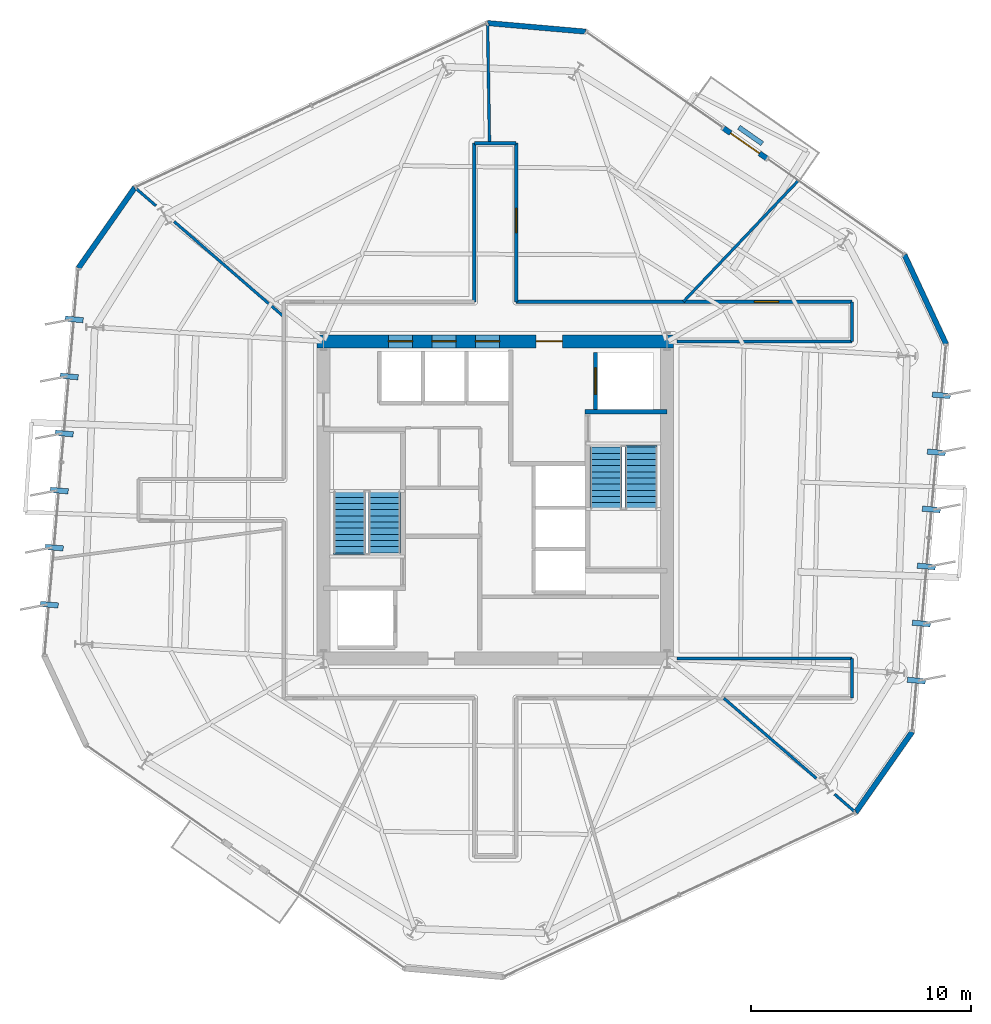
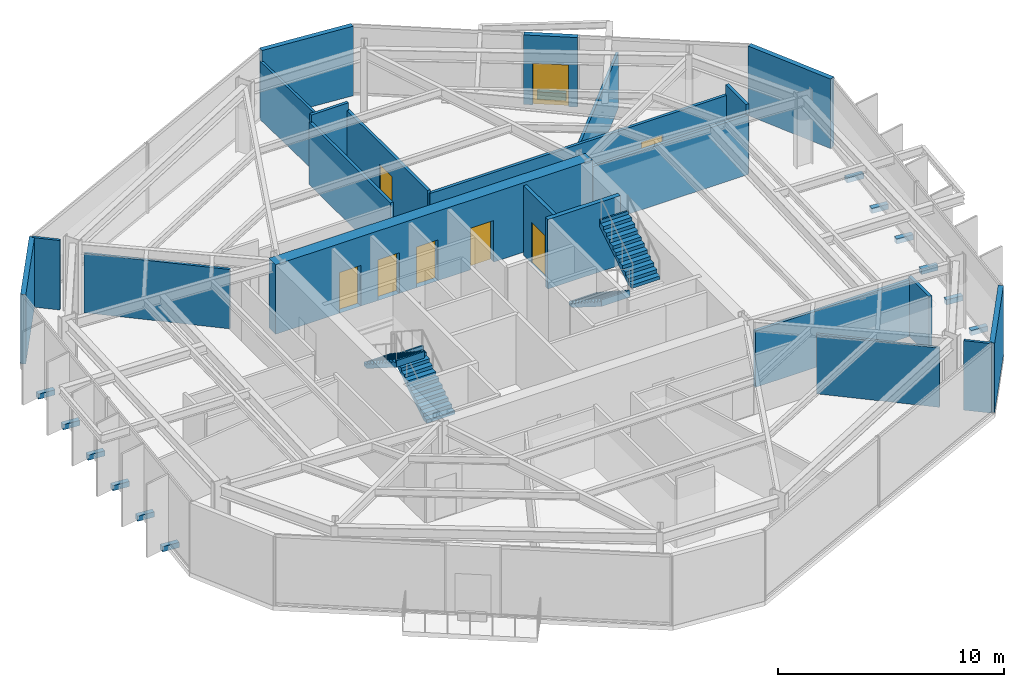
# One storey, part 8 of 12: 23 walls, 12 discrete accessories, 8 doors, 4 stair flights, 8 openings, 2 elements without a shape of their own.
"""IFC4 building model written with IfcOpenShell, lengths in metres."""

from ifc_helpers import new_model, si_unit, direction, frame, frame_2d, origin, origin_2d, place, context, subcontext, project, spatial, polyline, rectangle, outline, extrude, material, layer, layer_set, type_object, element, fill, aggregate, save


model = new_model("IFC4")

# Units and contexts
model_context = context("Model", 3, precision=1e-05, world=origin(), true_north=direction((0.0, 1.0)))
body_context = subcontext(model_context, "Body", "Model", "MODEL_VIEW")
ifc_project = project(units=[si_unit("LENGTHUNIT", "METRE"), si_unit("AREAUNIT", "SQUARE_METRE"), si_unit("VOLUMEUNIT", "CUBIC_METRE"), si_unit("PLANEANGLEUNIT", "RADIAN"), si_unit("MASSUNIT", "GRAM", prefix="KILO")], contexts=[model_context])

# Site, building, storey
site_placement = place(None, origin())
site = spatial("IfcSite", under=ifc_project, at=site_placement, CompositionType="ELEMENT")
building_placement = place(site_placement, origin())
building = spatial("IfcBuilding", under=site, at=building_placement, Name="Kranzbogen Civic Tower", CompositionType="ELEMENT")
storey_placement = place(building_placement, frame((0.0, 0.0, 122.39990234375)))
storey = spatial("IfcBuildingStorey", under=building, at=storey_placement, Name="L29", CompositionType="ELEMENT", Elevation=122.39990234375)

# Walls
ifc_material_1 = material(Name="Double-Stud Acoustic Gypsum Partition")
ifc_layer_1 = layer(ifc_material_1, 0.14990234375, Name="Double-Stud Acoustic Gypsum Partition")
ifc_layer_set_1 = layer_set([ifc_layer_1], Name="Double-Stud Acoustic Gypsum Partition")
wall_type_1 = type_object("IfcWallType", Name="Acoustic Corridor and Clinical Partition 150 mm", PredefinedType="PARTITIONING", material=ifc_layer_set_1)
wall_1_placement = place(storey_placement, frame((24.050048828125, 34.0, 0.0), z_axis=(0.0, 0.0, 1.0), x_axis=(0.0, 1.0, 0.0)))
element("IfcWall", 1, at=wall_1_placement, inside=storey, type_object=wall_type_1, Name="L29 corridor partition 11", PredefinedType="PARTITIONING", context=body_context, shape_type="SweptSolid", body=[
    extrude(rectangle(XDim=7.199951171875, YDim=0.14990234375, at=frame_2d((3.60009765625, 0.0))), origin(), (0.0, 0.0, 1.0), 3.360107421875),
])
wall_2_placement = place(storey_placement, frame((24.050048828125, 41.199951171875, 0.0), z_axis=(0.0, 0.0, 1.0), x_axis=(1.0, 0.0, 0.0)))
element("IfcWall", 2, at=wall_2_placement, inside=storey, type_object=wall_type_1, Name="L29 corridor partition 12", PredefinedType="PARTITIONING", context=body_context, shape_type="SweptSolid", body=[
    extrude(rectangle(XDim=1.89990234375, YDim=0.14990234375, at=frame_2d((0.949951171875, 0.0))), origin(), (0.0, 0.0, 1.0), 3.760009765625),
])

# Wall, opening, door
wall_3_placement = place(storey_placement, frame((25.949951171875, 41.199951171875, 0.0), z_axis=(0.0, 0.0, 1.0), x_axis=(0.0, -1.0, 0.0)))
wall_3 = element("IfcWall", 3, at=wall_3_placement, inside=storey, type_object=wall_type_1, Name="L29 corridor partition 13", PredefinedType="PARTITIONING", context=body_context, shape_type="SweptSolid", body=[
    extrude(rectangle(XDim=7.199951171875, YDim=0.14990234375, at=frame_2d((3.60009765625, 0.0))), origin(), (0.0, 0.0, 1.0), 3.360107421875),
])
opening_1_placement = place(wall_3_placement, frame((2.9619140625, 0.0, 0.0)))
opening_1 = element("IfcOpeningElement", 4, at=opening_1_placement, cuts=wall_3, Name="Opening D-COR60", PredefinedType="OPENING", context=body_context, shape_type="SweptSolid", body=[
    extrude(rectangle(XDim=1.10009765625, YDim=2.199951171875, at=frame_2d((0.550048828125, 1.10009765625))), frame((0.0, 0.0849609375, 0.0), z_axis=(0.0, -1.0, 0.0), x_axis=(1.0, 0.0, 0.0)), (0.0, 0.0, 1.0), 0.169921875),
])
ifc_material_2 = material(Name="Oak Timber and Fire Core", Category="wood")
door_type_1 = type_object("IfcDoorType", Name="Corridor Acoustic Fire Door 1100x2200", OperationType="NOTDEFINED", PredefinedType="DOOR", material=ifc_material_2)
door_1_placement = place(opening_1_placement, origin())
door_1 = element("IfcDoor", 5, at=door_1_placement, inside=storey, type_object=door_type_1, Name="L29 Hospitality Catering Kitchen door", OperationType="SINGLE_SWING_RIGHT", OverallHeight=2.199951171875, OverallWidth=1.10009765625, PredefinedType="DOOR", context=body_context, shape_type="SweptSolid", body=[
    extrude(rectangle(XDim=1.10009765625, YDim=2.199951171875, at=frame_2d((0.550048828125, 1.10009765625))), frame((0.0, 0.02490234375, 0.0), z_axis=(0.0, -1.0, 0.0), x_axis=(1.0, 0.0, 0.0)), (0.0, 0.0, 1.0), 0.050048828125),
])
fill(opening_1, door_1)

wall_4_placement = place(storey_placement, frame((25.949951171875, 34.0, 0.0), z_axis=(0.0, 0.0, 1.0), x_axis=(1.0, 0.0, 0.0)))
wall_4 = element("IfcWall", 6, at=wall_4_placement, inside=storey, type_object=wall_type_1, Name="L29 corridor partition 14", PredefinedType="PARTITIONING", context=body_context, shape_type="SweptSolid", body=[
    extrude(rectangle(XDim=15.25, YDim=0.14990234375, at=frame_2d((7.625, 0.0))), origin(), (0.0, 0.0, 1.0), 3.210205078125),
])
opening_2_placement = place(wall_4_placement, frame((10.81591796875, 0.0, 0.0)))
opening_2 = element("IfcOpeningElement", 7, at=opening_2_placement, cuts=wall_4, Name="Opening D-COR60", PredefinedType="OPENING", context=body_context, shape_type="SweptSolid", body=[
    extrude(rectangle(XDim=1.10009765625, YDim=2.199951171875, at=frame_2d((0.550048828125, 1.10009765625))), frame((0.0, 0.0849609375, 0.0), z_axis=(0.0, -1.0, 0.0), x_axis=(1.0, 0.0, 0.0)), (0.0, 0.0, 1.0), 0.169921875),
])
door_2_placement = place(opening_2_placement, origin())
door_2 = element("IfcDoor", 8, at=door_2_placement, inside=storey, type_object=door_type_1, Name="L29 Staff Tea Pantry door", OperationType="SINGLE_SWING_LEFT", OverallHeight=2.199951171875, OverallWidth=1.10009765625, PredefinedType="DOOR", context=body_context, shape_type="SweptSolid", body=[
    extrude(rectangle(XDim=1.10009765625, YDim=2.199951171875, at=frame_2d((0.550048828125, 1.10009765625))), frame((0.0, 0.02490234375, 0.0), z_axis=(0.0, -1.0, 0.0), x_axis=(1.0, 0.0, 0.0)), (0.0, 0.0, 1.0), 0.050048828125),
])
fill(opening_2, door_2)

# Walls
wall_5_placement = place(storey_placement, frame((41.199951171875, 34.0, 0.0), z_axis=(0.0, 0.0, 1.0), x_axis=(0.0, -1.0, 0.0)))
element("IfcWall", 9, at=wall_5_placement, inside=storey, type_object=wall_type_1, Name="L29 corridor partition 15", PredefinedType="PARTITIONING", context=body_context, shape_type="SweptSolid", body=[
    extrude(rectangle(XDim=1.800048828125, YDim=0.14990234375, at=frame_2d((0.89990234375, 0.0))), origin(), (0.0, 0.0, 1.0), 3.760009765625),
])
wall_6_placement = place(storey_placement, frame((41.199951171875, 32.199951171875, 0.0), z_axis=(0.0, 0.0, 1.0), x_axis=(-1.0, 0.0, 0.0)))
element("IfcWall", 10, at=wall_6_placement, inside=storey, type_object=wall_type_1, Name="L29 corridor partition 16", PredefinedType="PARTITIONING", context=body_context, shape_type="SweptSolid", body=[
    extrude(rectangle(XDim=7.952880859375, YDim=0.14990234375, at=frame_2d((3.9765625, 0.0))), origin(), (0.0, 0.0, 1.0), 3.210205078125),
])
wall_7_placement = place(storey_placement, frame((33.2470703125, 17.800048828125, 0.0), z_axis=(0.0, 0.0, 1.0), x_axis=(1.0, 0.0, 0.0)))
element("IfcWall", 11, at=wall_7_placement, inside=storey, type_object=wall_type_1, Name="L29 corridor partition 17", PredefinedType="PARTITIONING", context=body_context, shape_type="SweptSolid", body=[
    extrude(rectangle(XDim=7.952880859375, YDim=0.14990234375, at=frame_2d((3.9765625, 0.0))), origin(), (0.0, 0.0, 1.0), 3.050048828125),
])
wall_8_placement = place(storey_placement, frame((41.199951171875, 17.800048828125, 0.0), z_axis=(0.0, 0.0, 1.0), x_axis=(0.0, -1.0, 0.0)))
element("IfcWall", 12, at=wall_8_placement, inside=storey, type_object=wall_type_1, Name="L29 corridor partition 18", PredefinedType="PARTITIONING", context=body_context, shape_type="SweptSolid", body=[
    extrude(rectangle(XDim=1.800048828125, YDim=0.14990234375, at=frame_2d((0.89990234375, 0.0))), origin(), (0.0, 0.0, 1.0), 3.210205078125),
])
ifc_material_3 = material(Name="Insulated Metal-Stud Gypsum Partition")
ifc_layer_2 = layer(ifc_material_3, 0.125, Name="Insulated Metal-Stud Gypsum Partition")
ifc_layer_set_2 = layer_set([ifc_layer_2], Name="Insulated Metal-Stud Gypsum Partition")
wall_type_2 = type_object("IfcWallType", Name="Acoustic Inter-Room Partition 125 mm", PredefinedType="PARTITIONING", material=ifc_layer_set_2)
wall_9_placement = place(storey_placement, frame((33.537109375, 34.0, 0.0), z_axis=(0.0, 0.0, 1.0), x_axis=(0.68823300749, 0.725489715572, 0.0)))
element("IfcWall", 13, at=wall_9_placement, inside=storey, type_object=wall_type_2, Name="L29 radial room partition 01", PredefinedType="PARTITIONING", context=body_context, shape_type="SweptSolid", body=[
    extrude(rectangle(XDim=7.568603515625, YDim=0.125, at=frame_2d((3.7841796875, 0.0))), origin(), (0.0, 0.0, 1.0), 3.02001953125),
])
wall_10_placement = place(storey_placement, frame((24.738037109375, 41.199951171875, 0.0), z_axis=(0.0, 0.0, 1.0), x_axis=(-0.016037114242, 0.999871397214, 0.0)))
element("IfcWall", 14, at=wall_10_placement, inside=storey, type_object=wall_type_2, Name="L29 radial room partition 02", PredefinedType="PARTITIONING", context=body_context, shape_type="SweptSolid", body=[
    extrude(rectangle(XDim=5.434814453125, YDim=0.125, at=frame_2d((2.71728515625, 0.0))), origin(), (0.0, 0.0, 1.0), 3.16015625),
])
wall_11_placement = place(storey_placement, frame((15.39990234375, 33.322998046875, 0.0), z_axis=(0.0, 0.0, 1.0), x_axis=(-0.755497026954, 0.655152075677, 0.0)))
element("IfcWall", 15, at=wall_11_placement, inside=storey, type_object=wall_type_2, Name="L29 radial room partition 03 part 1", PredefinedType="PARTITIONING", context=body_context, shape_type="SweptSolid", body=[
    extrude(rectangle(XDim=6.586181640625, YDim=0.125, at=frame_2d((3.29296875, 0.0))), origin(), (0.0, 0.0, 1.0), 3.210205078125),
])
wall_12_placement = place(storey_placement, frame((9.596923828125, 38.35498046875, 0.0), z_axis=(0.0, 0.0, 1.0), x_axis=(-0.755592443886, 0.655042028226, 0.0)))
element("IfcWall", 16, at=wall_12_placement, inside=storey, type_object=wall_type_2, Name="L29 radial room partition 03 part 2", PredefinedType="PARTITIONING", context=body_context, shape_type="SweptSolid", body=[
    extrude(rectangle(XDim=1.25048828125, YDim=0.125, at=frame_2d((0.625244140625, 0.0))), origin(), (0.0, 0.0, 1.0), 3.760009765625),
])
wall_13_placement = place(storey_placement, frame((35.3798828125, 16.0, 0.0), z_axis=(0.0, 0.0, 1.0), x_axis=(0.75556722703, -0.655071114795, 0.0)))
element("IfcWall", 17, at=wall_13_placement, inside=storey, type_object=wall_type_2, Name="L29 radial room partition 07 part 1", PredefinedType="PARTITIONING", context=body_context, shape_type="SweptSolid", body=[
    extrude(rectangle(XDim=5.553466796875, YDim=0.125, at=frame_2d((2.77685546875, 0.0))), origin(), (0.0, 0.0, 1.0), 3.210205078125),
])
wall_14_placement = place(storey_placement, frame((40.403076171875, 11.64501953125, 0.0), z_axis=(0.0, 0.0, 1.0), x_axis=(0.755592443886, -0.655042028226, 0.0)))
element("IfcWall", 18, at=wall_14_placement, inside=storey, type_object=wall_type_2, Name="L29 radial room partition 07 part 2", PredefinedType="PARTITIONING", context=body_context, shape_type="SweptSolid", body=[
    extrude(rectangle(XDim=1.25048828125, YDim=0.125, at=frame_2d((0.625244140625, 0.0))), origin(), (0.0, 0.0, 1.0), 3.760009765625),
])
ifc_material_4 = material(Name="Architectural Precast Terracotta Concrete C40/50", Category="masonry")
ifc_layer_3 = layer(ifc_material_4, 0.219970703125, Name="Architectural Precast Terracotta Concrete C40/50")
ifc_layer_set_3 = layer_set([ifc_layer_3], Name="Architectural Precast Terracotta Concrete C40/50")
wall_type_3 = type_object("IfcWallType", Name="Architectural Tree Planter Kerb Wall 220 mm", PredefinedType="USERDEFINED", material=ifc_layer_set_3)
wall_15_placement = place(storey_placement, frame((37.12109375, 41.177001953125, 0.0), z_axis=(0.0, 0.0, 1.0), x_axis=(-0.818816934098, 0.574054725993, 0.0)))
element("IfcWall", 19, at=wall_15_placement, inside=storey, type_object=wall_type_3, Name="L29 landscaped tree balcony planter L29-TB1", ObjectType="PLANTER_WALL", PredefinedType="USERDEFINED", context=body_context, shape_type="SweptSolid", body=[
    extrude(rectangle(XDim=1.2998046875, YDim=0.219970703125, at=frame_2d((0.64990234375, 0.0))), origin(), (0.0, 0.0, 1.0), 0.400146484375),
])

# Wall, openings, doors
ifc_material_5 = material(Name="Concrete C55/67", Category="concrete")
ifc_layer_4 = layer(ifc_material_5, 0.60009765625, Name="Concrete C55/67")
ifc_layer_set_4 = layer_set([ifc_layer_4], Name="Concrete C55/67")
wall_type_4 = type_object("IfcWallType", Name="Central Core Shear Wall 600 mm", PredefinedType="SHEAR", material=ifc_layer_set_4)
wall_16_placement = place(storey_placement, frame((33.10009765625, 32.199951171875, 0.0), z_axis=(0.0, 0.0, 1.0), x_axis=(-1.0, 0.0, 0.0)))
wall_16 = element("IfcWall", 20, at=wall_16_placement, inside=storey, type_object=wall_type_4, Name="L29 central core North shear wall", PredefinedType="SHEAR", context=body_context, shape_type="SweptSolid", body=[
    extrude(rectangle(XDim=16.2001953125, YDim=0.60009765625, at=frame_2d((8.10009765625, 0.0))), origin(), (0.0, 0.0, 1.0), 3.760009765625),
])
opening_3_placement = place(wall_16_placement, frame((5.050048828125, 0.0, 0.0)))
opening_3 = element("IfcOpeningElement", 21, at=opening_3_placement, cuts=wall_16, Name="Opening D-EX120", PredefinedType="OPENING", context=body_context, shape_type="SweptSolid", body=[
    extrude(rectangle(XDim=1.199951171875, YDim=2.25, at=frame_2d((0.60009765625, 1.125))), frame((0.0, 0.31005859375, 0.0), z_axis=(0.0, -1.0, 0.0), x_axis=(1.0, 0.0, 0.0)), (0.0, 0.0, 1.0), 0.6201171875),
])
opening_4_placement = place(wall_16_placement, frame((11.85009765625, 0.0, 0.0)))
opening_4 = element("IfcOpeningElement", 22, at=opening_4_placement, cuts=wall_16, Name="Opening LD-MP-01", PredefinedType="OPENING", context=body_context, shape_type="SweptSolid", body=[
    extrude(rectangle(XDim=1.10009765625, YDim=2.199951171875, at=frame_2d((0.550048828125, 1.10009765625))), frame((0.0, 0.31005859375, 0.0), z_axis=(0.0, -1.0, 0.0), x_axis=(1.0, 0.0, 0.0)), (0.0, 0.0, 1.0), 0.6201171875),
])
opening_5_placement = place(wall_16_placement, frame((9.875, 0.0, 0.0)))
opening_5 = element("IfcOpeningElement", 23, at=opening_5_placement, cuts=wall_16, Name="Opening LD-MP-02", PredefinedType="OPENING", context=body_context, shape_type="SweptSolid", body=[
    extrude(rectangle(XDim=1.10009765625, YDim=2.199951171875, at=frame_2d((0.550048828125, 1.10009765625))), frame((0.0, 0.31005859375, 0.0), z_axis=(0.0, -1.0, 0.0), x_axis=(1.0, 0.0, 0.0)), (0.0, 0.0, 1.0), 0.6201171875),
])
opening_6_placement = place(wall_16_placement, frame((7.89990234375, 0.0, 0.0)))
opening_6 = element("IfcOpeningElement", 24, at=opening_6_placement, cuts=wall_16, Name="Opening LD-MP-03", PredefinedType="OPENING", context=body_context, shape_type="SweptSolid", body=[
    extrude(rectangle(XDim=1.10009765625, YDim=2.199951171875, at=frame_2d((0.550048828125, 1.10009765625))), frame((0.0, 0.31005859375, 0.0), z_axis=(0.0, -1.0, 0.0), x_axis=(1.0, 0.0, 0.0)), (0.0, 0.0, 1.0), 0.6201171875),
])
ifc_material_6 = material(Name="Steel S355", Category="steel")
door_type_2 = type_object("IfcDoorType", Name="Exit Passageway Fire Door 1200x2250", OperationType="NOTDEFINED", PredefinedType="DOOR", material=ifc_material_6)
door_3_placement = place(opening_3_placement, origin())
door_3 = element("IfcDoor", 25, at=door_3_placement, inside=storey, type_object=door_type_2, Name="L29 East firefighting lobby corridor door", OperationType="SINGLE_SWING_LEFT", OverallHeight=2.25, OverallWidth=1.199951171875, PredefinedType="DOOR", context=body_context, shape_type="SweptSolid", body=[
    extrude(rectangle(XDim=1.199951171875, YDim=2.25, at=frame_2d((0.60009765625, 1.125))), frame((0.0, 0.02490234375, 0.0), z_axis=(0.0, -1.0, 0.0), x_axis=(1.0, 0.0, 0.0)), (0.0, 0.0, 1.0), 0.050048828125),
])
fill(opening_3, door_3)
ifc_material_7 = material(Name="Pale Anodised Aluminium", Category="aluminium")
door_type_3 = type_object("IfcDoorType", Name="Passenger Lift Sliding Landing Door 1100x2200", OperationType="DOUBLE_DOOR_SLIDING", PredefinedType="DOOR", material=ifc_material_7)
door_4_placement = place(opening_4_placement, origin())
door_4 = element("IfcDoor", 26, at=door_4_placement, inside=storey, type_object=door_type_3, Name="L29 lift MP-01 sliding landing door", OperationType="DOUBLE_DOOR_SLIDING", OverallHeight=2.199951171875, OverallWidth=1.10009765625, PredefinedType="DOOR", context=body_context, shape_type="SweptSolid", body=[
    extrude(rectangle(XDim=1.10009765625, YDim=2.199951171875, at=frame_2d((0.550048828125, 1.10009765625))), frame((0.0, 0.02490234375, 0.0), z_axis=(0.0, -1.0, 0.0), x_axis=(1.0, 0.0, 0.0)), (0.0, 0.0, 1.0), 0.050048828125),
])
fill(opening_4, door_4)
door_5_placement = place(opening_5_placement, origin())
door_5 = element("IfcDoor", 27, at=door_5_placement, inside=storey, type_object=door_type_3, Name="L29 lift MP-02 sliding landing door", OperationType="DOUBLE_DOOR_SLIDING", OverallHeight=2.199951171875, OverallWidth=1.10009765625, PredefinedType="DOOR", context=body_context, shape_type="SweptSolid", body=[
    extrude(rectangle(XDim=1.10009765625, YDim=2.199951171875, at=frame_2d((0.550048828125, 1.10009765625))), frame((0.0, 0.02490234375, 0.0), z_axis=(0.0, -1.0, 0.0), x_axis=(1.0, 0.0, 0.0)), (0.0, 0.0, 1.0), 0.050048828125),
])
fill(opening_5, door_5)
door_6_placement = place(opening_6_placement, origin())
door_6 = element("IfcDoor", 28, at=door_6_placement, inside=storey, type_object=door_type_3, Name="L29 lift MP-03 sliding landing door", OperationType="DOUBLE_DOOR_SLIDING", OverallHeight=2.199951171875, OverallWidth=1.10009765625, PredefinedType="DOOR", context=body_context, shape_type="SweptSolid", body=[
    extrude(rectangle(XDim=1.10009765625, YDim=2.199951171875, at=frame_2d((0.550048828125, 1.10009765625))), frame((0.0, 0.02490234375, 0.0), z_axis=(0.0, -1.0, 0.0), x_axis=(1.0, 0.0, 0.0)), (0.0, 0.0, 1.0), 0.050048828125),
])
fill(opening_6, door_6)

# Wall
ifc_material_8 = material(Name="Concrete C45/55", Category="concrete")
ifc_layer_5 = layer(ifc_material_8, 0.219970703125, Name="Concrete C45/55")
ifc_layer_set_5 = layer_set([ifc_layer_5], Name="Concrete C45/55")
wall_type_5 = type_object("IfcWallType", Name="Core Internal Stair Structural Wall 220 mm", PredefinedType="SOLIDWALL", material=ifc_layer_set_5)
wall_17_placement = place(storey_placement, frame((29.080078125, 29.010009765625, 0.0), z_axis=(0.0, 0.0, 1.0), x_axis=(1.0, 0.0, 0.0)))
element("IfcWall", 29, at=wall_17_placement, inside=storey, type_object=wall_type_5, Name="L29 ST-T2 North structural stair wall", PredefinedType="SOLIDWALL", context=body_context, shape_type="SweptSolid", body=[
    extrude(rectangle(XDim=3.719970703125, YDim=0.219970703125, at=frame_2d((1.85986328125, 0.0))), origin(), (0.0, 0.0, 1.0), 3.760009765625),
])

# Wall, opening, door
ifc_material_9 = material(Name="Gypsum Fireboard Shaftliner")
ifc_layer_6 = layer(ifc_material_9, 0.175048828125, Name="Gypsum Fireboard Shaftliner")
ifc_layer_set_6 = layer_set([ifc_layer_6], Name="Gypsum Fireboard Shaftliner")
wall_type_6 = type_object("IfcWallType", Name="Fire-Rated Lift and Service Shaft Wall 175 mm", PredefinedType="PARTITIONING", material=ifc_layer_set_6)
wall_18_placement = place(storey_placement, frame((29.550048828125, 29.10009765625, 0.0), z_axis=(0.0, 0.0, 1.0), x_axis=(0.0, 1.0, 0.0)))
wall_18 = element("IfcWall", 30, at=wall_18_placement, inside=storey, type_object=wall_type_6, Name="L29 lift FF-02 landing wall", PredefinedType="PARTITIONING", context=body_context, shape_type="SweptSolid", body=[
    extrude(rectangle(XDim=2.599853515625, YDim=0.175048828125, at=frame_2d((1.2998046875, 0.0))), origin(), (0.0, 0.0, 1.0), 3.760009765625),
])
opening_7_placement = place(wall_18_placement, frame((0.699951171875, 0.0, 0.0)))
opening_7 = element("IfcOpeningElement", 31, at=opening_7_placement, cuts=wall_18, Name="Opening LD-FF-02", PredefinedType="OPENING", context=body_context, shape_type="SweptSolid", body=[
    extrude(rectangle(XDim=1.199951171875, YDim=2.199951171875, at=frame_2d((0.60009765625, 1.10009765625))), frame((0.0, 0.09765625, 0.0), z_axis=(0.0, -1.0, 0.0), x_axis=(1.0, 0.0, 0.0)), (0.0, 0.0, 1.0), 0.195068359375),
])
door_type_4 = type_object("IfcDoorType", Name="Firefighting and Stretcher Lift Sliding Landing Door 1200x2200", OperationType="DOUBLE_DOOR_SLIDING", PredefinedType="DOOR", material=ifc_material_7)
door_7_placement = place(opening_7_placement, origin())
door_7 = element("IfcDoor", 32, at=door_7_placement, inside=storey, type_object=door_type_4, Name="L29 lift FF-02 sliding landing door", OperationType="DOUBLE_DOOR_SLIDING", OverallHeight=2.199951171875, OverallWidth=1.199951171875, PredefinedType="DOOR", context=body_context, shape_type="SweptSolid", body=[
    extrude(rectangle(XDim=1.199951171875, YDim=2.199951171875, at=frame_2d((0.60009765625, 1.10009765625))), frame((0.0, 0.02490234375, 0.0), z_axis=(0.0, -1.0, 0.0), x_axis=(1.0, 0.0, 0.0)), (0.0, 0.0, 1.0), 0.050048828125),
])
fill(opening_7, door_7)

ifc_layer_7 = layer(ifc_material_7, 0.239990234375, Name="Pale Anodised Aluminium")
ifc_layer_set_7 = layer_set([ifc_layer_7], Name="Pale Anodised Aluminium")
wall_type_7 = type_object("IfcWallType", Name="Insulated Aluminium Facade Portal Wall 240 mm", PredefinedType="STANDARD", material=ifc_layer_set_7)
wall_19_placement = place(storey_placement, frame((37.323974609375, 40.508056640625, 0.0), z_axis=(0.0, 0.0, 1.0), x_axis=(-0.819284492344, 0.573387234428, 0.0)))
wall_19 = element("IfcWall", 33, at=wall_19_placement, inside=storey, type_object=wall_type_7, Name="L29 exterior entrance portal wall 1", PredefinedType="STANDARD", context=body_context, shape_type="SweptSolid", body=[
    extrude(rectangle(XDim=2.399658203125, YDim=0.239990234375, at=frame_2d((1.19970703125, 0.0))), origin(), (0.0, 0.0, 1.0), 3.760009765625),
])
opening_8_placement = place(wall_19_placement, frame((0.39990234375, 0.0, 0.0)))
opening_8 = element("IfcOpeningElement", 34, at=opening_8_placement, cuts=wall_19, Name="Opening D-TER", PredefinedType="OPENING", context=body_context, shape_type="SweptSolid", body=[
    extrude(rectangle(XDim=1.60009765625, YDim=2.25, at=frame_2d((0.800048828125, 1.125))), frame((0.0, 0.1298828125, 0.0), z_axis=(0.0, -1.0, 0.0), x_axis=(1.0, 0.0, 0.0)), (0.0, 0.0, 1.0), 0.260009765625),
])
ifc_material_10 = material(Name="Anodised Bronze and Triple Glass", Category="glass")
door_type_5 = type_object("IfcDoorType", Name="Glazed Terrace and Balcony Double Door 1600x2250", OperationType="DOUBLE_DOOR_SINGLE_SWING", PredefinedType="DOOR", material=ifc_material_10)
door_8_placement = place(opening_8_placement, frame((1.60009765625, 0.0, 0.0), z_axis=(0.0, 0.0, 1.0), x_axis=(-1.0, 0.0, 0.0)))
door_8 = element("IfcDoor", 35, at=door_8_placement, inside=storey, type_object=door_type_5, Name="L29 tree balcony access door L29-TB1", OperationType="DOUBLE_DOOR_SINGLE_SWING", OverallHeight=2.25, OverallWidth=1.60009765625, PredefinedType="DOOR", context=body_context, shape_type="SweptSolid", body=[
    extrude(rectangle(XDim=1.60009765625, YDim=2.25, at=frame_2d((0.800048828125, 1.125))), frame((0.0, 0.02490234375, 0.0), z_axis=(0.0, -1.0, 0.0), x_axis=(1.0, 0.0, 0.0)), (0.0, 0.0, 1.0), 0.050048828125),
])
fill(opening_8, door_8)

# Walls
wall_20_placement = place(storey_placement, frame((29.10400390625, 46.263916015625, 0.0), z_axis=(0.0, 0.0, 1.0), x_axis=(-0.996204852099, 0.087039603938, 0.0)))
element("IfcWall", 36, at=wall_20_placement, inside=storey, type_object=wall_type_7, Name="L29 chamfered corner facade spandrel 1", PredefinedType="STANDARD", context=body_context, shape_type="SweptSolid", body=[
    extrude(rectangle(XDim=4.47119140625, YDim=0.239990234375, at=frame_2d((2.235595703125, 0.0))), origin(), (0.0, 0.0, 1.0), 3.760009765625),
])
for number, where, z_axis, x_axis, name in (
    (37, (8.637939453125, 39.18603515625, 0.0), (0.0, 0.0, 1.0), (-0.57368221041, -0.819077970317, 0.0), "L29 chamfered corner facade spandrel 2"),
    (38, (41.362060546875, 10.81396484375, 0.0), (0.0, 0.0, 1.0), (0.57368221041, 0.819077970317, 0.0), "L29 chamfered corner facade spandrel 5"),
):
    element("IfcWall", number, at=place(storey_placement, frame(where, z_axis=z_axis, x_axis=x_axis)), inside=storey, type_object=wall_type_7, Name=name, PredefinedType="STANDARD", context=body_context, shape_type="SweptSolid", body=[
        extrude(rectangle(XDim=4.470947265625, YDim=0.239990234375, at=frame_2d((2.2353515625, 0.0))), origin(), (0.0, 0.0, 1.0), 3.760009765625),
    ])
wall_21_placement = place(storey_placement, frame((45.467041015625, 32.076904296875, 0.0), z_axis=(0.0, 0.0, 1.0), x_axis=(-0.422738987368, 0.906251481962, 0.0)))
element("IfcWall", 39, at=wall_21_placement, inside=storey, type_object=wall_type_7, Name="L29 chamfered corner facade spandrel 6", PredefinedType="STANDARD", context=body_context, shape_type="SweptSolid", body=[
    extrude(rectangle(XDim=4.47119140625, YDim=0.239990234375, at=frame_2d((2.235595703125, 0.0))), origin(), (0.0, 0.0, 1.0), 3.760009765625),
])

# Stair, stair flights
ifc_material_11 = material(Name="Precast concrete C40/50", Category="concrete")
stair_type_1 = type_object("IfcStairType", Name="Tower Core Pressurized Dogleg Stair 1450", PredefinedType="HALF_TURN_STAIR", material=ifc_material_11)
stair_1_placement = place(storey_placement, origin())
stair_1 = element("IfcStair", 40, at=stair_1_placement, inside=storey, type_object=stair_type_1, Name="L29 Tower Core Pressurized Stair 1", PredefinedType="HALF_TURN_STAIR")
stair_flight_type = type_object("IfcStairFlightType", Name="Precast Concrete Stair Flight R180", PredefinedType="STRAIGHT", material=ifc_material_11)
stair_flight_1_placement = place(storey_placement, frame((19.97509765625, 22.60009765625, 0.0), z_axis=(0.0, 0.0, 1.0), x_axis=(0.0, 1.0, 0.0)))
stair_flight_1 = element("IfcStairFlight", 41, at=stair_flight_1_placement, type_object=stair_flight_type, Name="ST-T1 flight 1", NumberOfRisers=11, NumberOfTreads=10, PredefinedType="STRAIGHT", RiserHeight=0.181818182, TreadLength=0.28, context=body_context, shape_type="SweptSolid", body=[
    extrude(outline(polyline([(0.0, 0.0), (0.0, 0.181884765625), (0.280029296875, 0.181884765625), (0.280029296875, 0.363525390625), (0.56005859375, 0.363525390625), (0.56005859375, 0.54541015625), (0.840087890625, 0.54541015625), (0.840087890625, 0.727294921875), (1.1201171875, 0.727294921875), (1.1201171875, 0.9091796875), (1.39990234375, 0.9091796875), (1.39990234375, 1.0908203125), (1.679931640625, 1.0908203125), (1.679931640625, 1.272705078125), (1.9599609375, 1.272705078125), (1.9599609375, 1.45458984375), (2.239990234375, 1.45458984375), (2.239990234375, 1.636474609375), (2.52001953125, 1.636474609375), (2.52001953125, 1.818115234375), (2.800048828125, 1.818115234375), (2.800048828125, 2.0), (2.880126953125, 2.0), (2.880126953125, 1.639404296875), (0.275146484375, 0.0), (0.0, 0.0)])), frame((0.0, 0.72509765625, 0.0), z_axis=(0.0, -1.0, 0.0), x_axis=(1.0, 0.0, 0.0)), (0.0, 0.0, 1.0), 1.449951171875),
])
stair_flight_2_placement = place(storey_placement, frame((18.375, 25.39990234375, 2.0), z_axis=(0.0, 0.0, 1.0), x_axis=(0.0, -1.0, 0.0)))
stair_flight_2 = element("IfcStairFlight", 42, at=stair_flight_2_placement, type_object=stair_flight_type, Name="ST-T1 flight 2", NumberOfRisers=11, NumberOfTreads=10, PredefinedType="STRAIGHT", RiserHeight=0.181818182, TreadLength=0.28, context=body_context, shape_type="SweptSolid", body=[
    extrude(outline(polyline([(0.0, 0.0), (0.0, 0.181884765625), (0.280029296875, 0.181884765625), (0.280029296875, 0.363525390625), (0.56005859375, 0.363525390625), (0.56005859375, 0.54541015625), (0.840087890625, 0.54541015625), (0.840087890625, 0.727294921875), (1.1201171875, 0.727294921875), (1.1201171875, 0.9091796875), (1.39990234375, 0.9091796875), (1.39990234375, 1.0908203125), (1.679931640625, 1.0908203125), (1.679931640625, 1.272705078125), (1.9599609375, 1.272705078125), (1.9599609375, 1.45458984375), (2.239990234375, 1.45458984375), (2.239990234375, 1.636474609375), (2.52001953125, 1.636474609375), (2.52001953125, 1.818115234375), (2.800048828125, 1.818115234375), (2.800048828125, 2.0), (2.880126953125, 2.0), (2.880126953125, 1.639404296875), (0.275146484375, 0.0), (0.0, 0.0)])), frame((0.0, 0.72509765625, 0.0), z_axis=(0.0, -1.0, 0.0), x_axis=(1.0, 0.0, 0.0)), (0.0, 0.0, 1.0), 1.449951171875),
])
aggregate(stair_1, [stair_flight_1, stair_flight_2])

stair_type_2 = type_object("IfcStairType", Name="Tower Core Secondary Dogleg Stair 1450", PredefinedType="HALF_TURN_STAIR", material=ifc_material_11)
stair_2_placement = place(storey_placement, origin())
stair_2 = element("IfcStair", 43, at=stair_2_placement, inside=storey, type_object=stair_type_2, Name="L29 Tower Core Pressurized Stair 2", PredefinedType="HALF_TURN_STAIR")
stair_flight_3_placement = place(storey_placement, frame((30.02490234375, 27.39990234375, 0.0), z_axis=(0.0, 0.0, 1.0), x_axis=(0.0, -1.0, 0.0)))
stair_flight_3 = element("IfcStairFlight", 44, at=stair_flight_3_placement, type_object=stair_flight_type, Name="ST-T2 flight 1", NumberOfRisers=11, NumberOfTreads=10, PredefinedType="STRAIGHT", RiserHeight=0.181818182, TreadLength=0.28, context=body_context, shape_type="SweptSolid", body=[
    extrude(outline(polyline([(0.0, 0.0), (0.0, 0.181884765625), (0.280029296875, 0.181884765625), (0.280029296875, 0.363525390625), (0.56005859375, 0.363525390625), (0.56005859375, 0.54541015625), (0.840087890625, 0.54541015625), (0.840087890625, 0.727294921875), (1.1201171875, 0.727294921875), (1.1201171875, 0.9091796875), (1.39990234375, 0.9091796875), (1.39990234375, 1.0908203125), (1.679931640625, 1.0908203125), (1.679931640625, 1.272705078125), (1.9599609375, 1.272705078125), (1.9599609375, 1.45458984375), (2.239990234375, 1.45458984375), (2.239990234375, 1.636474609375), (2.52001953125, 1.636474609375), (2.52001953125, 1.818115234375), (2.800048828125, 1.818115234375), (2.800048828125, 2.0), (2.880126953125, 2.0), (2.880126953125, 1.639404296875), (0.275146484375, 0.0), (0.0, 0.0)])), frame((0.0, 0.72509765625, 0.0), z_axis=(0.0, -1.0, 0.0), x_axis=(1.0, 0.0, 0.0)), (0.0, 0.0, 1.0), 1.449951171875),
])
stair_flight_4_placement = place(storey_placement, frame((31.625, 24.60009765625, 2.0), z_axis=(0.0, 0.0, 1.0), x_axis=(0.0, 1.0, 0.0)))
stair_flight_4 = element("IfcStairFlight", 45, at=stair_flight_4_placement, type_object=stair_flight_type, Name="ST-T2 flight 2", NumberOfRisers=11, NumberOfTreads=10, PredefinedType="STRAIGHT", RiserHeight=0.181818182, TreadLength=0.28, context=body_context, shape_type="SweptSolid", body=[
    extrude(outline(polyline([(0.0, 0.0), (0.0, 0.181884765625), (0.280029296875, 0.181884765625), (0.280029296875, 0.363525390625), (0.56005859375, 0.363525390625), (0.56005859375, 0.54541015625), (0.840087890625, 0.54541015625), (0.840087890625, 0.727294921875), (1.1201171875, 0.727294921875), (1.1201171875, 0.9091796875), (1.39990234375, 0.9091796875), (1.39990234375, 1.0908203125), (1.679931640625, 1.0908203125), (1.679931640625, 1.272705078125), (1.9599609375, 1.272705078125), (1.9599609375, 1.45458984375), (2.239990234375, 1.45458984375), (2.239990234375, 1.636474609375), (2.52001953125, 1.636474609375), (2.52001953125, 1.818115234375), (2.800048828125, 1.818115234375), (2.800048828125, 2.0), (2.880126953125, 2.0), (2.880126953125, 1.639404296875), (0.275146484375, 0.0), (0.0, 0.0)])), frame((0.0, 0.72509765625, 0.0), z_axis=(0.0, -1.0, 0.0), x_axis=(1.0, 0.0, 0.0)), (0.0, 0.0, 1.0), 1.449951171875),
])
aggregate(stair_2, [stair_flight_3, stair_flight_4])

# Discrete accessories
discrete_accessory_type = type_object("IfcDiscreteAccessoryType", Name="Structural Curtain-Wall Fin Support Bracket", PredefinedType="BRACKET", material=ifc_material_6)
for number, where, z_axis, x_axis, name in (
    (46, (5.882080078125, 33.197998046875, -0.25), (0.0, 0.0, 1.0), (-0.996194698092, 0.087155742748, 0.0), "L29 facade fin support bracket F3-1"),
    (47, (5.655029296875, 30.60693359375, -0.25), (0.0, 0.0, 1.0), (-0.996194698092, 0.087155742748, 0.0), "L29 facade fin support bracket F3-2"),
    (48, (5.428955078125, 28.01708984375, -0.25), (0.0, 0.0, 1.0), (-0.996194698092, 0.087155742748, 0.0), "L29 facade fin support bracket F3-3"),
    (49, (5.201904296875, 25.427001953125, -0.25), (0.0, 0.0, 1.0), (-0.996194698092, 0.087155742748, 0.0), "L29 facade fin support bracket F3-4"),
    (50, (4.97607421875, 22.8369140625, -0.25), (0.0, 0.0, 1.0), (-0.996194698092, 0.087155742748, 0.0), "L29 facade fin support bracket F3-5"),
    (51, (4.7490234375, 20.2470703125, -0.25), (0.0, 0.0, 1.0), (-0.996194698092, 0.087155742748, 0.0), "L29 facade fin support bracket F3-6"),
    (52, (44.117919921875, 16.802001953125, -0.25), (0.0, 0.0, 1.0), (0.996194698092, -0.087155742748, 0.0), "L29 facade fin support bracket F6-1"),
    (53, (44.344970703125, 19.39306640625, -0.25), (0.0, 0.0, 1.0), (0.996194698092, -0.087155742748, 0.0), "L29 facade fin support bracket F6-2"),
    (54, (44.571044921875, 21.98291015625, -0.25), (0.0, 0.0, 1.0), (0.996194698092, -0.087155742748, 0.0), "L29 facade fin support bracket F6-3"),
    (55, (44.798095703125, 24.572998046875, -0.25), (0.0, 0.0, 1.0), (0.996194698092, -0.087155742748, 0.0), "L29 facade fin support bracket F6-4"),
    (56, (45.02392578125, 27.1630859375, -0.25), (0.0, 0.0, 1.0), (0.996194698092, -0.087155742748, 0.0), "L29 facade fin support bracket F6-5"),
    (57, (45.2509765625, 29.7529296875, -0.25), (0.0, 0.0, 1.0), (0.996194698092, -0.087155742748, 0.0), "L29 facade fin support bracket F6-6"),
):
    element("IfcDiscreteAccessory", number, at=place(storey_placement, frame(where, z_axis=z_axis, x_axis=x_axis)), inside=storey, type_object=discrete_accessory_type, Name=name, PredefinedType="BRACKET", context=body_context, shape_type="SweptSolid", body=[
        extrude(rectangle(XDim=0.820068359375, YDim=0.239990234375, at=origin_2d()), origin(), (0.0, 0.0, 1.0), 0.280029296875),
    ])

save(model, "model.ifc")
